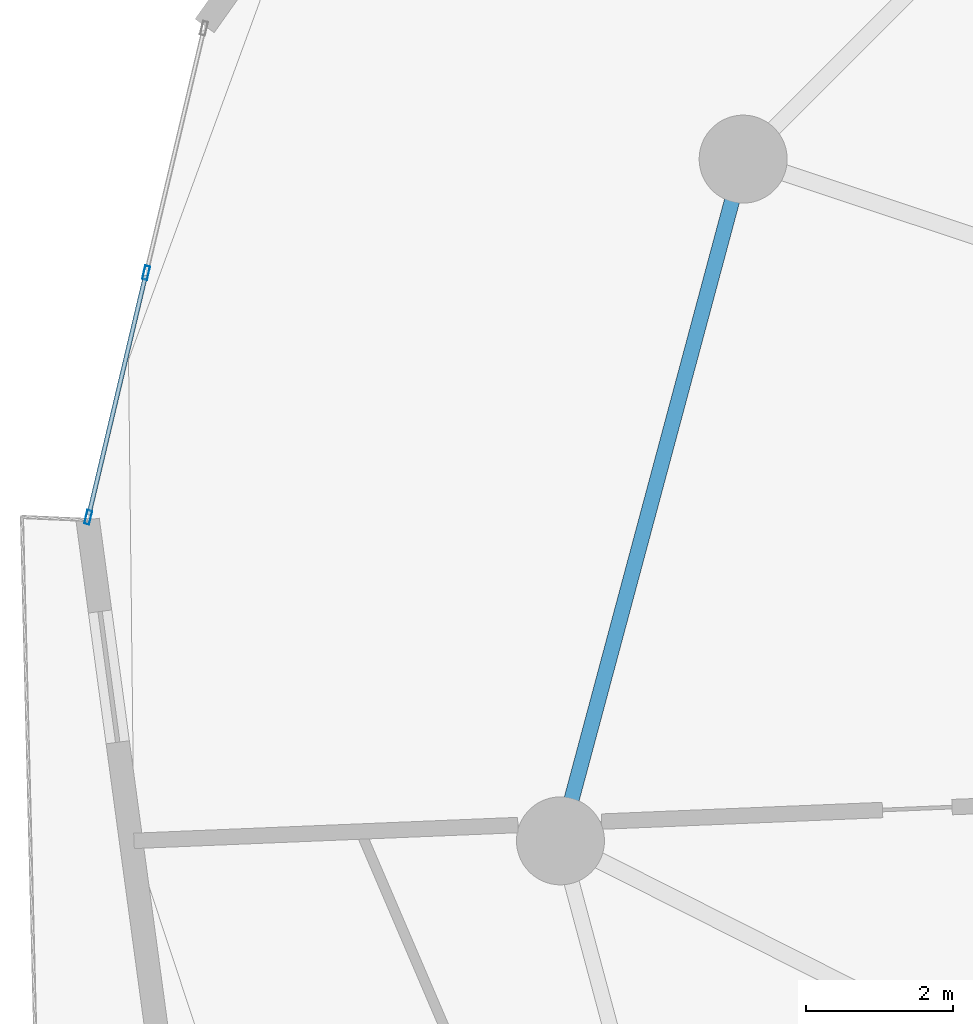
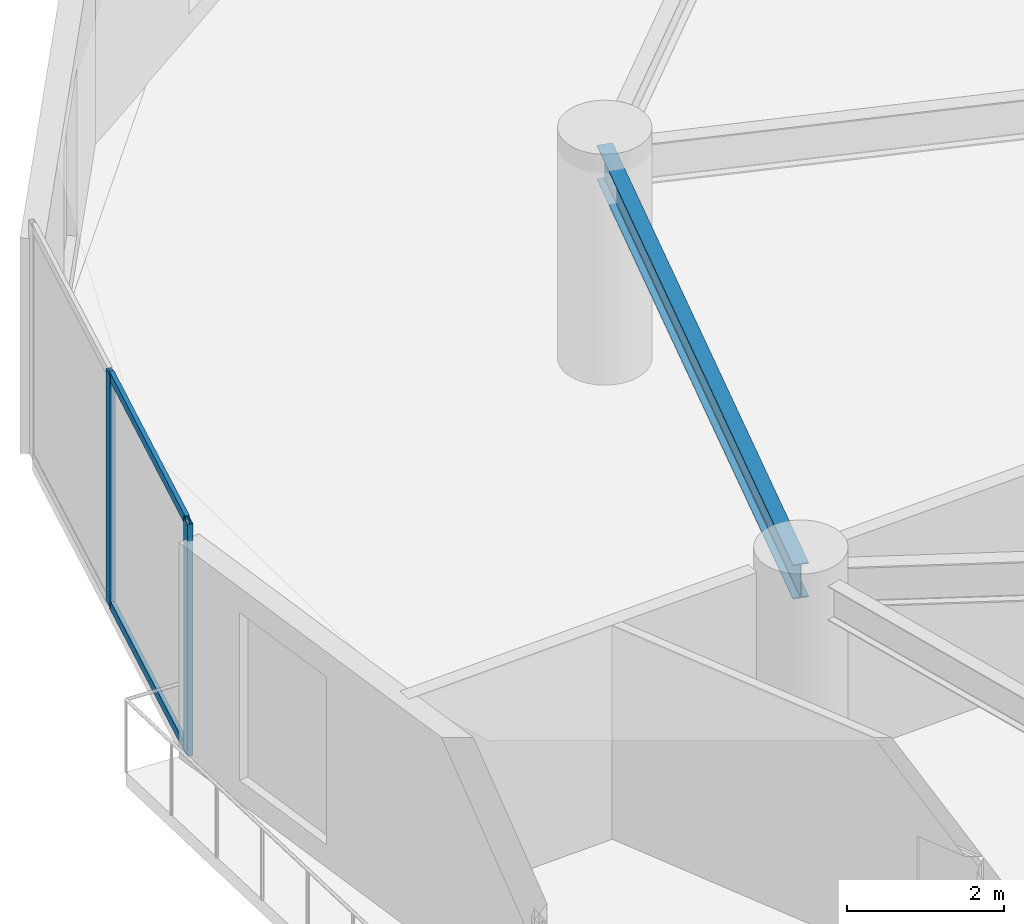
# One storey, part 6 of 24: 4 members, 1 beam, 1 element without a shape of its own.
"""IFC4 building model written with IfcOpenShell, lengths in metres."""

import ifcopenshell
import ifcopenshell.guid

model = None  # the IFC model being written
_history = None  # IfcOwnerHistory: only IFC2X3 demands one
_inside = {}  # id of a spatial element -> (the spatial element, [elements in it])
_under = {}  # id of a project, library or spatial element -> (it, [spatial elements below it])
_declared = {}  # id of a project -> (the project, [libraries it declares])
_typed = {}  # id of a type object -> (the type object, [elements of that type])
_made_of = {}  # id of a material, layer set ... -> (it, [elements and type objects made of it])


def new_model(schema):
    """Start an empty IFC model of exactly this schema.

    Asked for "IFC4X3", IfcOpenShell would pick the latest addendum, in which some entities
    have other attributes; the version numbers below select the first issue.
    IFC2X3 requires an IfcOwnerHistory on every rooted entity: one is made here for all.
    """
    global model, _history
    if schema == "IFC4X3":
        model = ifcopenshell.file(schema_version=(4, 3, 0, 0))
    else:
        model = ifcopenshell.file(schema=schema)
    _inside.clear()
    _under.clear()
    _declared.clear()
    _typed.clear()
    _made_of.clear()
    _history = None
    if model.schema == "IFC2X3":
        org = make("IfcOrganization", Name="unknown")
        user = make(
            "IfcPersonAndOrganization",
            ThePerson=make("IfcPerson", FamilyName="unknown"),
            TheOrganization=org,
        )
        app = make(
            "IfcApplication",
            ApplicationDeveloper=org,
            Version="unknown",
            ApplicationFullName="unknown",
            ApplicationIdentifier="unknown",
        )
        _history = make(
            "IfcOwnerHistory",
            OwningUser=user,
            OwningApplication=app,
            ChangeAction="ADDED",
            CreationDate=0,
        )
    return model


def make(cls, **values):
    """One entity of the class cls with the attributes given. An attribute that is None is left unset."""
    return model.create_entity(
        cls, **{name: value for name, value in values.items() if value is not None}
    )


def rooted(cls, **values):
    """An entity with a GlobalId (a new one), such as an element, a storey or a relation."""
    return make(cls, GlobalId=ifcopenshell.guid.new(), OwnerHistory=_history, **values)


def si_unit(unit_type, name, prefix=None):
    """IfcSIUnit, for example si_unit("LENGTHUNIT", "METRE", prefix="MILLI")."""
    return make("IfcSIUnit", UnitType=unit_type, Prefix=prefix, Name=name)


def assignment(units):
    """IfcUnitAssignment: the units of a project."""
    return None if units is None else make("IfcUnitAssignment", Units=units)


def point(xyz):
    """IfcCartesianPoint."""
    return None if xyz is None else make("IfcCartesianPoint", Coordinates=xyz)


def direction(xyz):
    """IfcDirection."""
    return None if xyz is None else make("IfcDirection", DirectionRatios=xyz)


def frame(location, z_axis=None, x_axis=None):
    """IfcAxis2Placement3D, a coordinate frame: its origin and axes. An axis left out is left unset."""
    return make(
        "IfcAxis2Placement3D",
        Location=point(location),
        Axis=direction(z_axis),
        RefDirection=direction(x_axis),
    )


def frame_2d(location, x_axis=None):
    """IfcAxis2Placement2D, a coordinate frame in the plane: its origin and x axis."""
    return make(
        "IfcAxis2Placement2D", Location=point(location), RefDirection=direction(x_axis)
    )


def origin():
    """The frame at (0, 0, 0) with its axes left unset."""
    return frame((0.0, 0.0, 0.0))


def origin_2d():
    """The frame at (0, 0) in the plane with its x axis left unset."""
    return frame_2d((0.0, 0.0))


def place(relative_to, where):
    """IfcLocalPlacement: puts the frame where relative to a parent placement (None: the world)."""
    return make(
        "IfcLocalPlacement", PlacementRelTo=relative_to, RelativePlacement=where
    )


def context(
    kind, dimensions, precision=None, world=None, true_north=None, identifier=None
):
    """IfcGeometricRepresentationContext, for example the 3D "Model" context."""
    return make(
        "IfcGeometricRepresentationContext",
        ContextIdentifier=identifier,
        ContextType=kind,
        CoordinateSpaceDimension=dimensions,
        Precision=precision,
        WorldCoordinateSystem=world,
        TrueNorth=true_north,
    )


def subcontext(parent, identifier, kind, view, scale=None):
    """IfcGeometricRepresentationSubContext, for example "Body" below "Model"."""
    return make(
        "IfcGeometricRepresentationSubContext",
        ContextIdentifier=identifier,
        ContextType=kind,
        ParentContext=parent,
        TargetScale=scale,
        TargetView=view,
    )


def project(units=None, contexts=None):
    """IfcProject with its units and contexts."""
    return rooted(
        "IfcProject",
        Name="project",
        RepresentationContexts=contexts,
        UnitsInContext=assignment(units),
    )


def spatial(cls, under=None, at=None, **own):
    """A site, building, storey or space (cls), placed at a placement, below another one or the project."""
    s = rooted(cls, ObjectPlacement=at, **own)
    if under is not None:
        _under.setdefault(under.id(), (under, []))[1].append(s)
    return s


def profile(cls, at=None, kind="AREA", **sizes):
    """A parametric profile (cls). Its sizes go by their IFC names, for example OverallWidth=200.0."""
    return make(cls, ProfileType=kind, Position=at, **sizes)


def hollow_rectangle(**sizes):
    """IfcRectangleHollowProfileDef."""
    return profile("IfcRectangleHollowProfileDef", **sizes)


def i_section(**sizes):
    """IfcIShapeProfileDef."""
    return profile("IfcIShapeProfileDef", **sizes)


def extrude(swept, where, along, depth):
    """IfcExtrudedAreaSolid: the profile swept, set in the frame where, extruded along a direction by depth."""
    return make(
        "IfcExtrudedAreaSolid",
        SweptArea=swept,
        Position=where,
        ExtrudedDirection=direction(along),
        Depth=depth,
    )


def shape(context_of_items, identifier, shape_type, items):
    """IfcShapeRepresentation: the items that make up one representation, for example the "Body"."""
    return make(
        "IfcShapeRepresentation",
        ContextOfItems=context_of_items,
        RepresentationIdentifier=identifier,
        RepresentationType=shape_type,
        Items=items,
    )


def source(mapping_origin, context_of_items, identifier, shape_type, items):
    """IfcRepresentationMap: a shape defined once, which mapped items show again and again."""
    return make(
        "IfcRepresentationMap",
        MappingOrigin=mapping_origin,
        MappedRepresentation=shape(context_of_items, identifier, shape_type, items),
    )


def transform(
    local_origin,
    x_axis=None,
    y_axis=None,
    z_axis=None,
    scale=None,
    scale2=None,
    scale3=None,
    uniform=True,
):
    """IfcCartesianTransformationOperator3D, or its non-uniform kind. x_axis, y_axis, z_axis: its Axis1, 2, 3."""
    if uniform:
        return make(
            "IfcCartesianTransformationOperator3D",
            Axis1=direction(x_axis),
            Axis2=direction(y_axis),
            LocalOrigin=point(local_origin),
            Scale=scale,
            Axis3=direction(z_axis),
        )
    return make(
        "IfcCartesianTransformationOperator3DnonUniform",
        Axis1=direction(x_axis),
        Axis2=direction(y_axis),
        LocalOrigin=point(local_origin),
        Scale=scale,
        Axis3=direction(z_axis),
        Scale2=scale2,
        Scale3=scale3,
    )


def mapped(mapping_source, mapping_target):
    """IfcMappedItem: shows the shape of a source again, moved by a transform."""
    return make(
        "IfcMappedItem", MappingSource=mapping_source, MappingTarget=mapping_target
    )


def material(Name=None, Category=None):
    """IfcMaterial."""
    return make("IfcMaterial", Name=Name, Category=Category)


def layer(
    of_material, thickness, ventilated=None, Name=None, Category=None, Priority=None
):
    """IfcMaterialLayer: one layer of a wall or slab, of a material (None: an air gap)."""
    return make(
        "IfcMaterialLayer",
        Material=of_material,
        LayerThickness=thickness,
        IsVentilated=ventilated,
        Name=Name,
        Category=Category,
        Priority=Priority,
    )


def layer_set(layers, Name=None):
    """IfcMaterialLayerSet."""
    return make("IfcMaterialLayerSet", MaterialLayers=layers, LayerSetName=Name)


def material_profile(
    of_material, cross_section, Name=None, Category=None, Priority=None
):
    """IfcMaterialProfile: a cross section and its material."""
    return make(
        "IfcMaterialProfile",
        Name=Name,
        Material=of_material,
        Profile=cross_section,
        Priority=Priority,
        Category=Category,
    )


def profile_set(profiles, Name=None, composite=None):
    """IfcMaterialProfileSet."""
    return make(
        "IfcMaterialProfileSet",
        Name=Name,
        MaterialProfiles=profiles,
        CompositeProfile=composite,
    )


def made_of(thing, what):
    """Note that an element or type object is made of a material, layer set ...; save() writes the relation."""
    if what is not None:
        _made_of.setdefault(what.id(), (what, []))[1].append(thing)
    return thing


def type_object(cls, material=None, **own):
    """A type object (cls), such as IfcWallType, which elements share."""
    return made_of(rooted(cls, **own), material)


def element(
    cls,
    number,
    at=None,
    inside=None,
    cuts=None,
    type_object=None,
    material=None,
    context=None,
    identifier="Body",
    shape_type=None,
    held_by="IfcProductDefinitionShape",
    body=None,
    shapes=None,
    **own,
):
    """One element of the class cls, such as IfcWall. Its Tag is "e" and its number.

    at: its placement. inside: the storey or other place that contains it. cuts: it is an
    opening in that element (IfcRelVoidsElement). A single representation is given by context,
    identifier, shape_type and body (its items); several are given by shapes. held_by: the class
    of the entity that holds the representations. save() writes the other relations.
    """
    e = rooted(cls, Tag="e%d" % number, ObjectPlacement=at, **own)
    if body is not None:
        shapes = [shape(context, identifier, shape_type, body)]
    if shapes is not None:
        e.Representation = make(held_by, Representations=shapes)
    if inside is not None:
        _inside.setdefault(inside.id(), (inside, []))[1].append(e)
    if cuts is not None:
        rooted(
            "IfcRelVoidsElement", RelatingBuildingElement=cuts, RelatedOpeningElement=e
        )
    if type_object is not None:
        _typed.setdefault(type_object.id(), (type_object, []))[1].append(e)
    return made_of(e, material)


def aggregate(whole, parts):
    """IfcRelAggregates: a whole, such as a stair, and the parts it consists of."""
    return rooted("IfcRelAggregates", RelatingObject=whole, RelatedObjects=parts)


def save(model, path):
    """Write the relations noted so far, then the file.

    IfcRelAggregates (storeys below a building ...), IfcRelContainedInSpatialStructure (elements
    in a storey), IfcRelDefinesByType, IfcRelAssociatesMaterial and IfcRelDeclares: one each for
    every whole, place, type object, material and project.
    """
    for whole, parts in _under.values():
        aggregate(whole, parts)
    for where, things in _inside.values():
        rooted(
            "IfcRelContainedInSpatialStructure",
            RelatedElements=things,
            RelatingStructure=where,
        )
    for kind, things in _typed.values():
        rooted("IfcRelDefinesByType", RelatedObjects=things, RelatingType=kind)
    for what, things in _made_of.values():
        rooted("IfcRelAssociatesMaterial", RelatedObjects=things, RelatingMaterial=what)
    for by, libraries in _declared.values():
        rooted("IfcRelDeclares", RelatingContext=by, RelatedDefinitions=libraries)
    model.write(path)


model = new_model("IFC4")

# Units and contexts
model_context = context("Model", 3, precision=1e-05, world=origin(), true_north=direction((0.0, 1.0)))
body_context = subcontext(model_context, "Body", "Model", "MODEL_VIEW")
ifc_project = project(units=[si_unit("LENGTHUNIT", "METRE"), si_unit("AREAUNIT", "SQUARE_METRE"), si_unit("VOLUMEUNIT", "CUBIC_METRE"), si_unit("PLANEANGLEUNIT", "RADIAN"), si_unit("MASSUNIT", "GRAM", prefix="KILO")], contexts=[model_context])

# Site, building, storey
site_placement = place(None, origin())
site = spatial("IfcSite", under=ifc_project, at=site_placement, CompositionType="ELEMENT")
building_placement = place(site_placement, origin())
building = spatial("IfcBuilding", under=site, at=building_placement, Name="Solvirekh Grand Hotel", CompositionType="ELEMENT")
storey_placement = place(building_placement, frame((0.0, 0.0, 86.0)))
storey = spatial("IfcBuildingStorey", under=building, at=storey_placement, Name="L21", CompositionType="ELEMENT", Elevation=86.0)

# Beam
ifc_material_1 = material(Name="Steel S355", Category="steel")
ifc_material_profile_1 = material_profile(ifc_material_1, i_section(OverallWidth=0.208984375, OverallDepth=0.532958984375, WebThickness=0.010009765625, FlangeThickness=0.014892578125, FilletRadius=0.013916015625, at=origin_2d()), Name="W530X92")
ifc_profile_set_1 = profile_set([ifc_material_profile_1], Name="Steel S355")
beam_type = type_object("IfcBeamType", Name="Spandrel_Ring_W530", PredefinedType="SPANDREL", material=ifc_profile_set_1)
beam_placement = place(storey_placement, frame((-16.10791015625, 9.300048828125, 3.073974609375), z_axis=(-0.258842973314, -0.965919414426, 0.0), x_axis=(0.965919414426, -0.258842973314, 0.0)))
element("IfcBeam", 1, at=beam_placement, inside=storey, type_object=beam_type, Name="L21 perimeter spandrel beam 6", PredefinedType="SPANDREL", context=body_context, shape_type="SweptSolid", body=[
    extrude(i_section(OverallWidth=0.208984375, OverallDepth=0.532958984375, WebThickness=0.010009765625, FlangeThickness=0.014892578125, FilletRadius=0.013916015625, at=origin_2d()), origin(), (0.0, 0.0, 1.0), 9.628173828125),
])

# Curtain wall, members
ifc_material_2 = material(Name="Anodized Bronze Aluminium 6063-T6", Category="aluminium")
ifc_layer = layer(ifc_material_2, 0.18994140625)
ifc_layer_set = layer_set([ifc_layer], Name="Anodized Bronze Aluminium 6063-T6")
curtain_wall_type = type_object("IfcCurtainWallType", Name="CW_Sys2_LowZoneFlushBronzeCW", PredefinedType="NOTDEFINED", material=ifc_layer_set)
curtain_wall_placement = place(storey_placement, origin())
curtain_wall = element("IfcCurtainWall", 2, at=curtain_wall_placement, inside=storey, type_object=curtain_wall_type, Name="L21 unitised bronze-glass curtain wall CW-L21-C11", PredefinedType="NOTDEFINED")
ifc_material_profile_2 = material_profile(ifc_material_2, hollow_rectangle(XDim=0.070068359375, YDim=0.18994140625, WallThickness=0.0048828125, at=origin_2d()), Name="ALU RHS 190X70X5")
ifc_profile_set_2 = profile_set([ifc_material_profile_2], Name="Anodized Bronze Aluminium 6063-T6")
member_type_1 = type_object("IfcMemberType", Name="CWMullion_Sys2", PredefinedType="MULLION", material=ifc_profile_set_2)
shared_shape_1 = source(origin(), body_context, "Body", "SweptSolid", [
    extrude(hollow_rectangle(XDim=0.070068359375, YDim=0.18994140625, WallThickness=0.0048828125, at=origin_2d()), origin(), (0.0, 0.0, 1.0), 3.60009765625),
])
member_1_placement = place(storey_placement, frame((-24.251953125, 7.74951171875, 0.0), z_axis=(0.0, 0.0, 1.0), x_axis=(0.973082843945, -0.230455589692, 0.0)))
member_1 = element("IfcMember", 3, at=member_1_placement, type_object=member_type_1, Name="U02 mullion 2", PredefinedType="MULLION", context=body_context, shape_type="MappedRepresentation", body=[
    mapped(shared_shape_1, transform((0.0, 0.0, 0.0), x_axis=(1.0, 0.0, 0.0), y_axis=(0.0, 1.0, 0.0), z_axis=(0.0, 0.0, 1.0), scale=1.0)),
])
member_2_placement = place(storey_placement, frame((-25.0419921875, 4.4140625, 0.0), z_axis=(0.0, 0.0, 1.0), x_axis=(0.973082843945, -0.230455589692, 0.0)))
member_2 = element("IfcMember", 4, at=member_2_placement, type_object=member_type_1, Name="U02 mullion 3", PredefinedType="MULLION", context=body_context, shape_type="MappedRepresentation", body=[
    mapped(shared_shape_1, transform((0.0, 0.0, 0.0), x_axis=(1.0, 0.0, 0.0), y_axis=(0.0, 1.0, 0.0), z_axis=(0.0, 0.0, 1.0), scale=1.0)),
])
ifc_material_profile_3 = material_profile(ifc_material_2, hollow_rectangle(XDim=0.06005859375, YDim=0.135009765625, WallThickness=0.00390625, at=origin_2d()), Name="ALU RHS 135X60X4")
ifc_profile_set_3 = profile_set([ifc_material_profile_3], Name="Anodized Bronze Aluminium 6063-T6")
member_type_2 = type_object("IfcMemberType", Name="CWTransom_Sys2", PredefinedType="USERDEFINED", material=ifc_profile_set_3)
shared_shape_2 = source(origin(), body_context, "Body", "SweptSolid", [
    extrude(hollow_rectangle(XDim=0.06005859375, YDim=0.135009765625, WallThickness=0.00390625, at=origin_2d()), origin(), (0.0, 0.0, 1.0), 3.357666015625),
])
member_3_placement = place(storey_placement, frame((-24.260009765625, 7.71533203125, 0.030029296875), z_axis=(-0.230489937006, -0.973074708817, 0.0), x_axis=(0.973074708817, -0.230489937006, 0.0)))
member_3 = element("IfcMember", 5, at=member_3_placement, type_object=member_type_2, Name="U02 transom 2.1", ObjectType="TRANSOM", PredefinedType="USERDEFINED", context=body_context, shape_type="MappedRepresentation", body=[
    mapped(shared_shape_2, transform((0.0, 0.0, 0.0), x_axis=(1.0, 0.0, 0.0), y_axis=(0.0, 1.0, 0.0), z_axis=(0.0, 0.0, 1.0), scale=1.0)),
])
member_4_placement = place(storey_placement, frame((-24.260009765625, 7.71533203125, 3.570068359375), z_axis=(-0.230489937006, -0.973074708817, 0.0), x_axis=(0.973074708817, -0.230489937006, 0.0)))
member_4 = element("IfcMember", 6, at=member_4_placement, type_object=member_type_2, Name="U02 transom 2.2", ObjectType="TRANSOM", PredefinedType="USERDEFINED", context=body_context, shape_type="MappedRepresentation", body=[
    mapped(shared_shape_2, transform((0.0, 0.0, 0.0), x_axis=(1.0, 0.0, 0.0), y_axis=(0.0, 1.0, 0.0), z_axis=(0.0, 0.0, 1.0), scale=1.0)),
])
aggregate(curtain_wall, [member_1, member_2, member_3, member_4])

save(model, "model.ifc")
